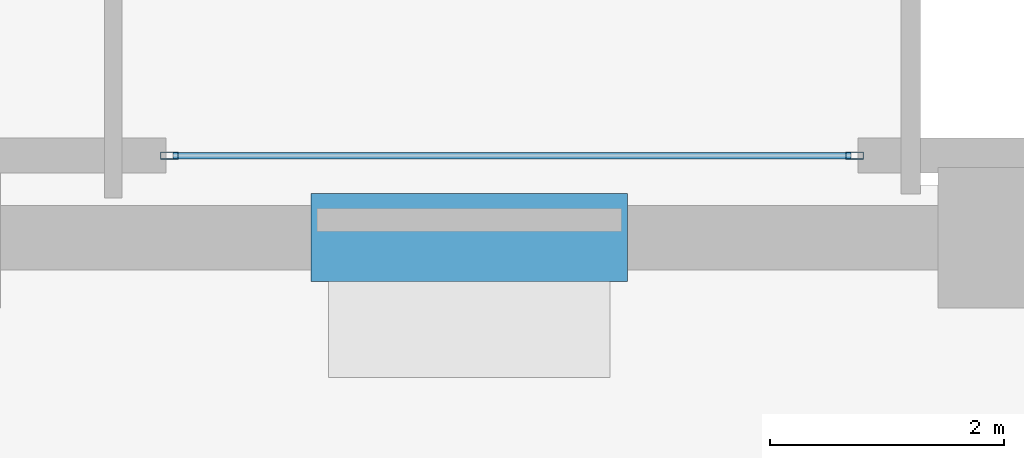
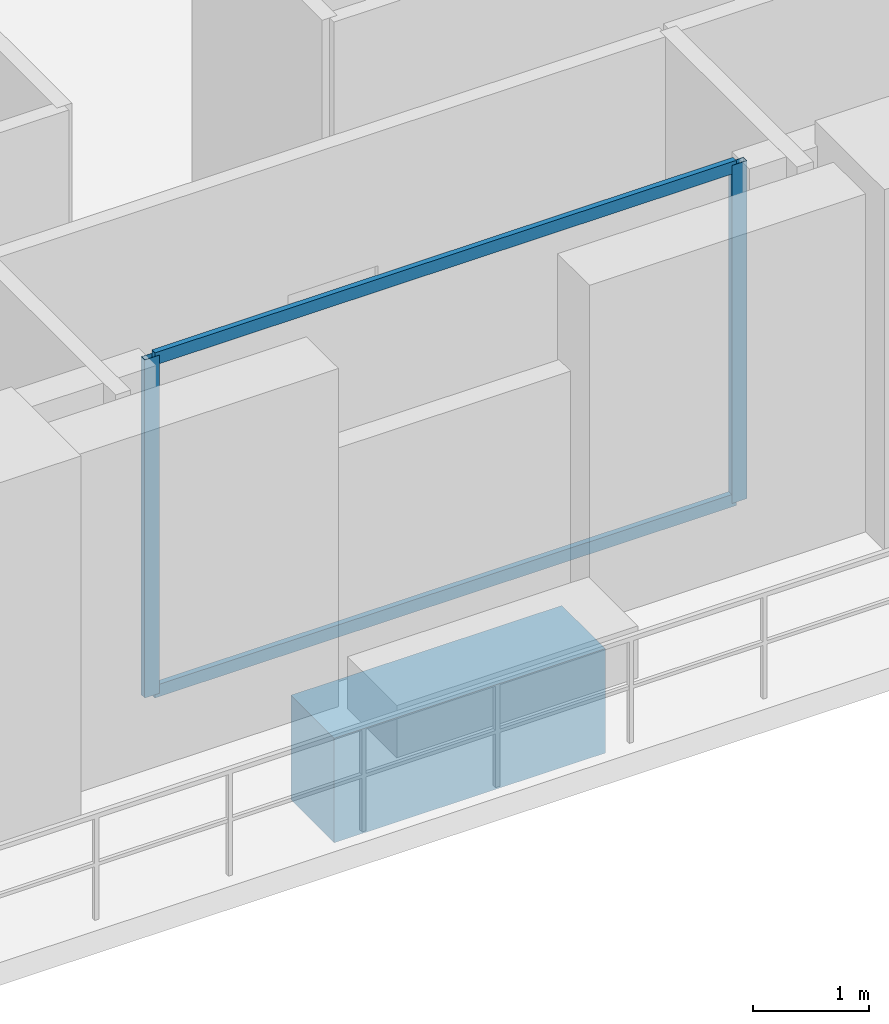
# One storey, part 5 of 27: 4 members, 1 beam, 1 element without a shape of its own.
"""IFC4 building model written with IfcOpenShell, lengths in metres."""

from ifc_helpers import new_model, si_unit, direction, frame, origin, origin_2d, place, context, subcontext, project, spatial, rectangle, hollow_rectangle, extrude, material, layer, layer_set, material_profile, profile_set, type_object, element, aggregate, save


model = new_model("IFC4")

# Units and contexts
model_context = context("Model", 3, precision=1e-05, world=origin(), true_north=direction((0.0, 1.0)))
body_context = subcontext(model_context, "Body", "Model", "MODEL_VIEW")
ifc_project = project(units=[si_unit("LENGTHUNIT", "METRE"), si_unit("AREAUNIT", "SQUARE_METRE"), si_unit("VOLUMEUNIT", "CUBIC_METRE"), si_unit("PLANEANGLEUNIT", "RADIAN"), si_unit("MASSUNIT", "GRAM", prefix="KILO")], contexts=[model_context])

# Site, building, storey
site_placement = place(None, origin())
site = spatial("IfcSite", under=ifc_project, at=site_placement, CompositionType="ELEMENT")
building_placement = place(site_placement, origin())
building = spatial("IfcBuilding", under=site, at=building_placement, Name="Zuhayl Quay Hotel", CompositionType="ELEMENT")
storey_placement = place(building_placement, frame((0.0, 0.0, 297.25)))
storey = spatial("IfcBuildingStorey", under=building, at=storey_placement, Name="Crown 1", CompositionType="ELEMENT", Elevation=297.25)

# Beam
ifc_material_1 = material(Name="Concrete C60/75", Category="concrete")
ifc_material_profile_1 = material_profile(ifc_material_1, rectangle(XDim=0.75, YDim=1.10009765625, at=origin_2d()), Name="RC750X1100")
ifc_profile_set_1 = profile_set([ifc_material_profile_1], Name="Concrete C60/75")
beam_type = type_object("IfcBeamType", Name="BM_CB2_RC750", PredefinedType="T_BEAM", material=ifc_profile_set_1)
beam_placement = place(storey_placement, frame((-1.35009765625, 2.14990234375, -0.7900390625), z_axis=(1.0, 0.0, 0.0), x_axis=(0.0, 1.0, 0.0)))
element("IfcBeam", 1, at=beam_placement, inside=storey, type_object=beam_type, Name="Crown 1 Core Coupling Beam South", PredefinedType="T_BEAM", context=body_context, shape_type="SweptSolid", body=[
    extrude(rectangle(XDim=0.75, YDim=1.10009765625, at=origin_2d()), origin(), (0.0, 0.0, 1.0), 2.7001953125),
])

# Curtain wall, members
ifc_material_2 = material(Name="Anodised Aluminium 6063-T6", Category="aluminium")
ifc_layer = layer(ifc_material_2, 0.159912109375, Name="Anodised Aluminium 6063-T6", Category="aluminium")
ifc_layer_set = layer_set([ifc_layer], Name="Anodised Aluminium 6063-T6")
curtain_wall_type = type_object("IfcCurtainWallType", Name="CW_SYS_CRN", PredefinedType="USERDEFINED", material=ifc_layer_set)
curtain_wall_placement = place(storey_placement, origin())
curtain_wall = element("IfcCurtainWall", 2, at=curtain_wall_placement, inside=storey, type_object=curtain_wall_type, Name="Crown 1 Curtain Wall ENV_CR1_E7_CW2", ObjectType="UNITISED CURTAIN WALL", PredefinedType="USERDEFINED")
ifc_material_3 = material(Name="Black-anodised aluminium 6063-T6", Category="aluminium")
ifc_material_profile_2 = material_profile(ifc_material_3, hollow_rectangle(XDim=0.06005859375, YDim=0.14990234375, WallThickness=0.00341796875, at=origin_2d()), Name="ALU150X60")
ifc_profile_set_2 = profile_set([ifc_material_profile_2], Name="Black-anodised aluminium 6063-T6")
member_type_1 = type_object("IfcMemberType", Name="MB_CW_MUL_150", PredefinedType="MULLION", material=ifc_profile_set_2)
member_1_placement = place(storey_placement, frame((3.2900390625, 2.85009765625, 0.0), z_axis=(0.0, 0.0, 1.0), x_axis=(0.0, -1.0, 0.0)))
member_1 = element("IfcMember", 3, at=member_1_placement, type_object=member_type_1, Name="CW-CRN mullion 1", PredefinedType="MULLION", context=body_context, shape_type="SweptSolid", body=[
    extrude(hollow_rectangle(XDim=0.06005859375, YDim=0.14990234375, WallThickness=0.00341796875, at=origin_2d()), origin(), (0.0, 0.0, 1.0), 3.56005859375),
])
member_2_placement = place(storey_placement, frame((-2.56005859375, 2.85009765625, 0.0), z_axis=(0.0, 0.0, 1.0), x_axis=(0.0, -1.0, 0.0)))
member_2 = element("IfcMember", 4, at=member_2_placement, type_object=member_type_1, Name="CW-CRN mullion 2", PredefinedType="MULLION", context=body_context, shape_type="SweptSolid", body=[
    extrude(hollow_rectangle(XDim=0.06005859375, YDim=0.14990234375, WallThickness=0.00341796875, at=origin_2d()), origin(), (0.0, 0.0, 1.0), 3.56005859375),
])
ifc_material_profile_3 = material_profile(ifc_material_3, hollow_rectangle(XDim=0.054931640625, YDim=0.1298828125, WallThickness=0.0029296875, at=origin_2d()), Name="ALU130X55")
ifc_profile_set_3 = profile_set([ifc_material_profile_3], Name="Black-anodised aluminium 6063-T6")
member_type_2 = type_object("IfcMemberType", Name="MB_CW_TRN_130", PredefinedType="USERDEFINED", material=ifc_profile_set_3)
member_3_placement = place(storey_placement, frame((3.260009765625, 2.85009765625, 0.027587890625), z_axis=(-1.0, 0.0, 0.0), x_axis=(0.0, -1.0, 0.0)))
member_3 = element("IfcMember", 5, at=member_3_placement, type_object=member_type_2, Name="CW-CRN transom 1.1", ObjectType="TRANSOM", PredefinedType="USERDEFINED", context=body_context, shape_type="SweptSolid", body=[
    extrude(hollow_rectangle(XDim=0.054931640625, YDim=0.1298828125, WallThickness=0.0029296875, at=origin_2d()), origin(), (0.0, 0.0, 1.0), 5.7900390625),
])
member_4_placement = place(storey_placement, frame((3.260009765625, 2.85009765625, 3.532470703125), z_axis=(-1.0, 0.0, 0.0), x_axis=(0.0, -1.0, 0.0)))
member_4 = element("IfcMember", 6, at=member_4_placement, type_object=member_type_2, Name="CW-CRN transom 1.2", ObjectType="TRANSOM", PredefinedType="USERDEFINED", context=body_context, shape_type="SweptSolid", body=[
    extrude(hollow_rectangle(XDim=0.054931640625, YDim=0.1298828125, WallThickness=0.0029296875, at=origin_2d()), origin(), (0.0, 0.0, 1.0), 5.7900390625),
])
aggregate(curtain_wall, [member_1, member_2, member_3, member_4])

save(model, "model.ifc")
